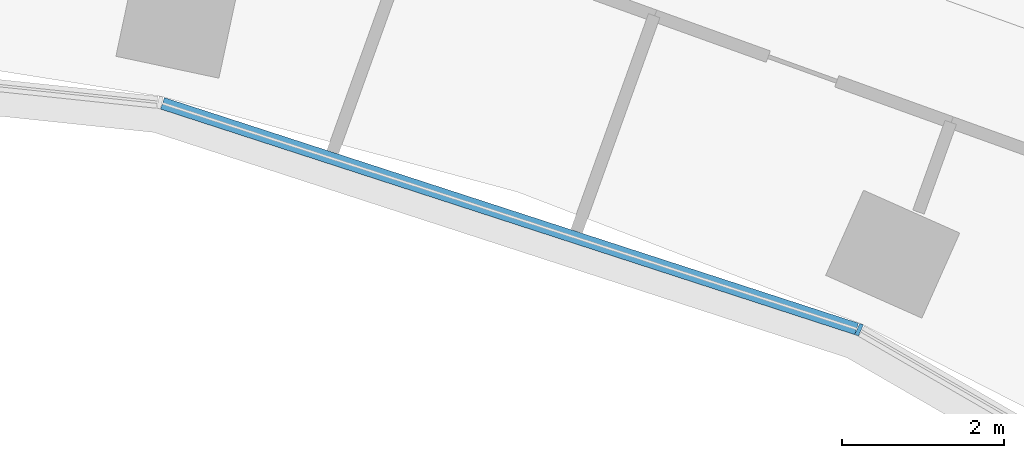
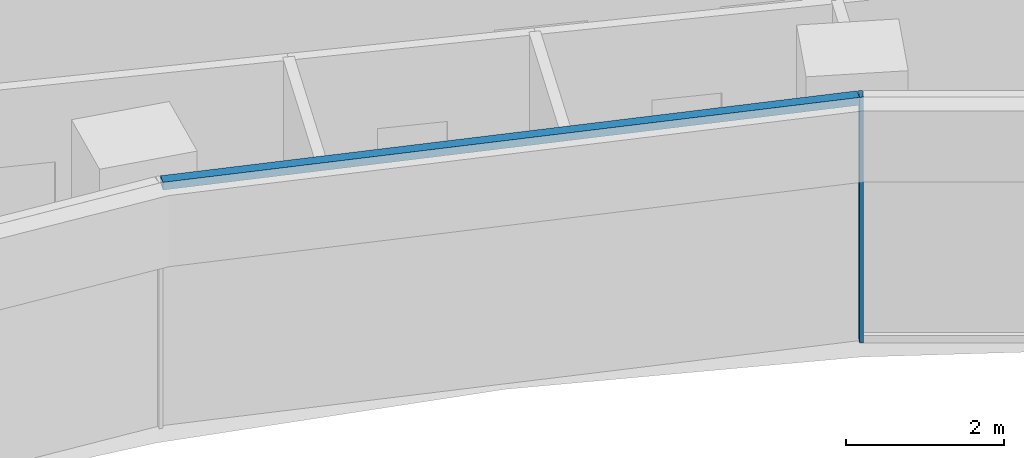
# One storey, part 5 of 22: 2 members, 1 element without a shape of its own.
"""IFC4 building model written with IfcOpenShell, lengths in metres."""

from ifc_helpers import new_model, si_unit, direction, frame, origin, origin_2d, place, context, subcontext, project, spatial, rectangle, extrude, material, layer, layer_set, material_profile, profile_set, type_object, element, aggregate, save


model = new_model("IFC4")

# Units and contexts
model_context = context("Model", 3, precision=1e-05, world=origin(), true_north=direction((0.0, 1.0)))
body_context = subcontext(model_context, "Body", "Model", "MODEL_VIEW")
ifc_project = project(units=[si_unit("LENGTHUNIT", "METRE"), si_unit("AREAUNIT", "SQUARE_METRE"), si_unit("VOLUMEUNIT", "CUBIC_METRE"), si_unit("PLANEANGLEUNIT", "RADIAN"), si_unit("MASSUNIT", "GRAM", prefix="KILO")], contexts=[model_context])

# Site, building, storey
site_placement = place(None, origin())
site = spatial("IfcSite", under=ifc_project, at=site_placement, CompositionType="ELEMENT")
building_placement = place(site_placement, origin())
building = spatial("IfcBuilding", under=site, at=building_placement, Name="Stone Belt Terrace Tower", CompositionType="ELEMENT")
storey_placement = place(building_placement, frame((0.0, 0.0, 132.60009765625)))
storey = spatial("IfcBuildingStorey", under=building, at=storey_placement, Name="L32", CompositionType="ELEMENT", Elevation=132.60009765625)

# Curtain wall, members
ifc_material = material(Name="Aluminium 6063-T6 anodised frame", Category="aluminium")
ifc_layer = layer(ifc_material, 0.14990234375)
ifc_layer_set = layer_set([ifc_layer], Name="CW-B unitised concave-face curtain wall")
curtain_wall_type = type_object("IfcCurtainWallType", Name="CW-B unitised concave-face curtain wall", PredefinedType="NOTDEFINED", material=ifc_layer_set)
curtain_wall_placement = place(storey_placement, origin())
curtain_wall = element("IfcCurtainWall", 1, at=curtain_wall_placement, inside=storey, type_object=curtain_wall_type, Name="CW-B concave face L32", PredefinedType="NOTDEFINED")
ifc_material_profile_1 = material_profile(ifc_material, rectangle(XDim=0.14990234375, YDim=0.050048828125, at=origin_2d()), Name="Aluminium 6063-T6 50x150")
ifc_profile_set_1 = profile_set([ifc_material_profile_1], Name="Aluminium 6063-T6 anodised frame")
member_type_1 = type_object("IfcMemberType", Name="CW-B mullion 50 x 150", PredefinedType="MULLION", material=ifc_profile_set_1)
member_1_placement = place(storey_placement, frame((17.662353515625, 39.67041015625, 0.0), z_axis=(0.0, 0.0, 1.0), x_axis=(0.406736643076, 0.913545457643, 0.0)))
member_1 = element("IfcMember", 2, at=member_1_placement, type_object=member_type_1, Name="CW-B mullion 7", PredefinedType="MULLION", context=body_context, shape_type="SweptSolid", body=[
    extrude(rectangle(XDim=0.14990234375, YDim=0.050048828125, at=origin_2d()), origin(), (0.0, 0.0, 1.0), 3.7998046875),
])
ifc_material_profile_2 = material_profile(ifc_material, rectangle(XDim=0.14990234375, YDim=0.1201171875, at=origin_2d()), Name="Aluminium 6063-T6 150x120")
ifc_profile_set_2 = profile_set([ifc_material_profile_2], Name="Aluminium 6063-T6 anodised frame")
member_type_2 = type_object("IfcMemberType", Name="CW-B transom 120 x 150", PredefinedType="USERDEFINED", material=ifc_profile_set_2)
member_2_placement = place(storey_placement, frame((9.0595703125, 42.465576171875, 3.739990234375), z_axis=(0.951055963285, -0.309018696359, 0.0), x_axis=(0.309018696359, 0.951055963285, 0.0)))
member_2 = element("IfcMember", 3, at=member_2_placement, type_object=member_type_2, Name="CW-B transom 6.1", ObjectType="TRANSOM", PredefinedType="USERDEFINED", context=body_context, shape_type="SweptSolid", body=[
    extrude(rectangle(XDim=0.14990234375, YDim=0.1201171875, at=origin_2d()), origin(), (0.0, 0.0, 1.0), 9.012939453125),
])
aggregate(curtain_wall, [member_1, member_2])

save(model, "model.ifc")
